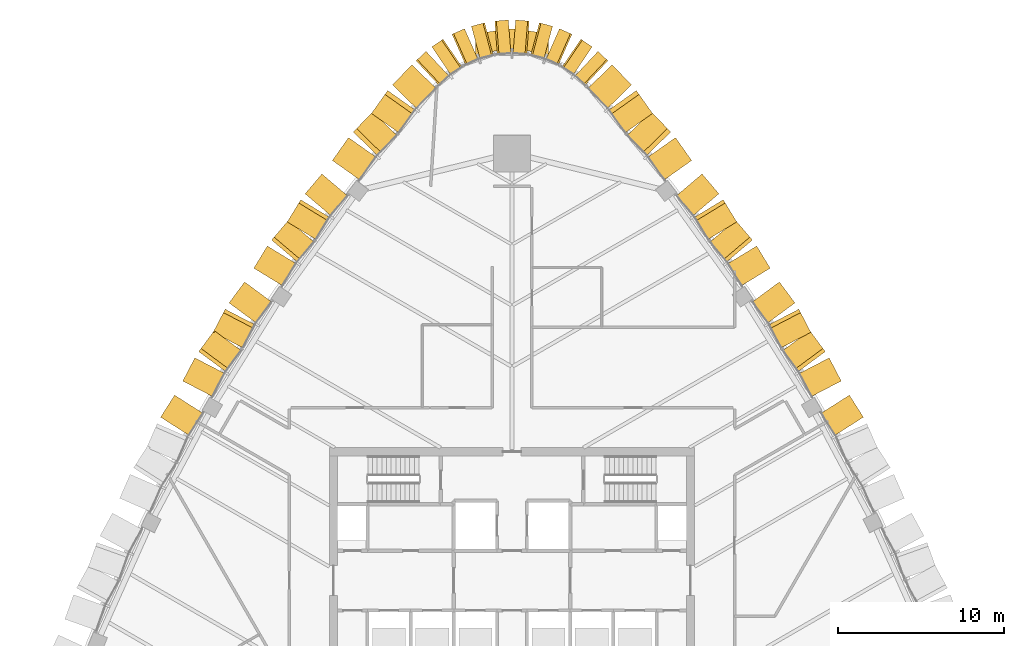
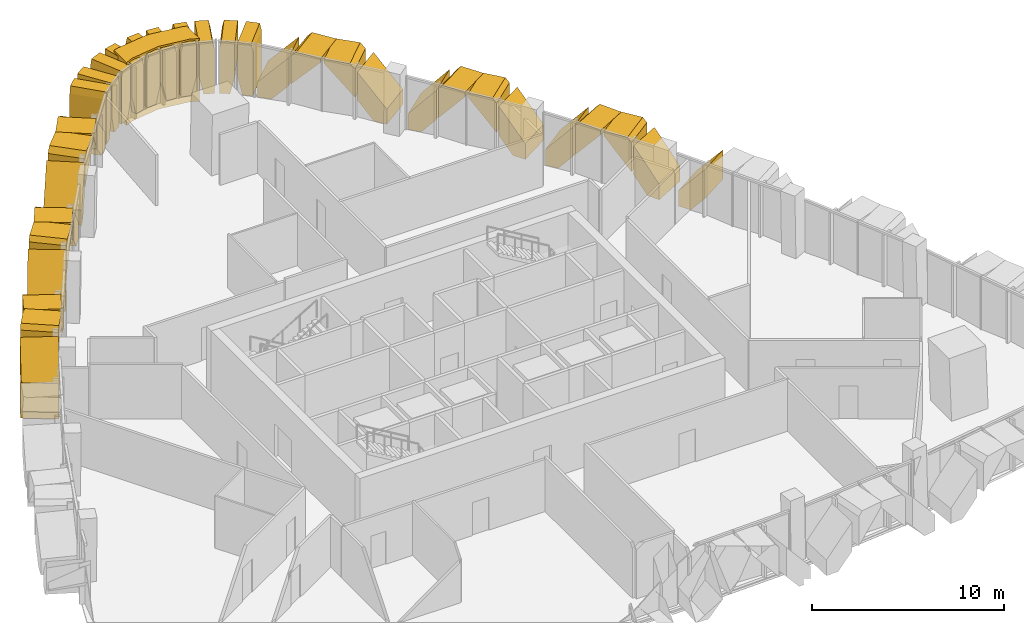
# One storey, part 18 of 19: 37 coverings.
"""IFC4 building model written with IfcOpenShell, lengths in metres."""

from ifc_helpers import new_model, si_unit, direction, frame, origin, place, context, subcontext, project, spatial, polyline, outline, extrude, material, layer, layer_set, type_object, element, save


model = new_model("IFC4")

# Units and contexts
model_context = context("Model", 3, precision=1e-05, world=origin(), true_north=direction((0.0, 1.0)))
body_context = subcontext(model_context, "Body", "Model", "MODEL_VIEW")
ifc_project = project(units=[si_unit("LENGTHUNIT", "METRE"), si_unit("AREAUNIT", "SQUARE_METRE"), si_unit("VOLUMEUNIT", "CUBIC_METRE"), si_unit("PLANEANGLEUNIT", "RADIAN"), si_unit("MASSUNIT", "GRAM", prefix="KILO")], contexts=[model_context])

# Site, building, storey
site_placement = place(None, origin())
site = spatial("IfcSite", under=ifc_project, at=site_placement, CompositionType="ELEMENT")
building_placement = place(site_placement, origin())
building = spatial("IfcBuilding", under=site, at=building_placement, Name="Sierra Prisma Convention Tower", CompositionType="ELEMENT")
storey_placement = place(building_placement, frame((0.0, 0.0, 231.0)))
storey = spatial("IfcBuildingStorey", under=building, at=storey_placement, Name="L51", CompositionType="ELEMENT", Elevation=231.0)

# Coverings
ifc_material_1 = material(Name="Aluminium composite bronze anodised", Category="aluminium")
ifc_layer_1 = layer(ifc_material_1, 1.199951171875)
ifc_layer_set_1 = layer_set([ifc_layer_1], Name="Bronze corner pier")
covering_type_1 = type_object("IfcCoveringType", Name="Bronze corner pier", PredefinedType="CLADDING", material=ifc_layer_set_1)
covering_1_placement = place(storey_placement, frame((0.0, 0.0, -0.60009765625)))
element("IfcCovering", 1, at=covering_1_placement, inside=storey, type_object=covering_type_1, Name="Corner pier N L51.1", PredefinedType="CLADDING", context=body_context, shape_type="SweptSolid", body=[
    extrude(outline(polyline([(-1.91064453125, 32.968505859375), (-0.16796875, 33.215087890625), (0.16796875, 33.215087890625), (1.91064453125, 32.968505859375), (2.199951171875, 32.885009765625), (2.199951171875, 31.575439453125), (1.74267578125, 31.780517578125), (0.0, 32.02685546875), (-1.74267578125, 31.780517578125), (-2.199951171875, 31.575439453125), (-2.199951171875, 32.885009765625), (-1.91064453125, 32.968505859375)])), origin(), (0.0, 0.0, 1.0), 4.0),
])
ifc_material_2 = material(Name="Aluminium 6063-T6 bronze anodised", Category="aluminium")
ifc_layer_2 = layer(ifc_material_2, 2.0)
ifc_layer_set_2 = layer_set([ifc_layer_2], Name="Bronze crystal chevron frame")
covering_type_2 = type_object("IfcCoveringType", Name="Bronze crystal chevron frame", PredefinedType="CLADDING", material=ifc_layer_set_2)
covering_2_placement = place(storey_placement, frame((20.316162109375, 11.162841796875, 0.0), z_axis=(0.842922333408, 0.538035258843, -9.152677e-06), x_axis=(7.714996e-06, 4.924463e-06, 0.999999999958)))
element("IfcCovering", 2, at=covering_2_placement, inside=storey, type_object=covering_type_2, Name="CW-2 chevron frame NE3.2.2", PredefinedType="CLADDING", context=body_context, shape_type="SweptSolid", body=[
    extrude(outline(polyline([(0.0, 0.0), (0.9978027343332063, 0.0), (2.850585937464066, 1.572729120562759), (0.9963378906667324, 1.572729120562759), (-2.389205748810039e-10, 0.7269696146594894), (0.0, 0.0)])), origin(), (0.0, 0.0, -1.0), 2.0),
])
covering_3_placement = place(storey_placement, frame((19.825439453125, 12.012939453125, 0.0), z_axis=(0.88739807128, 0.461003972953, 3.077268e-06), x_axis=(-0.461003972955, 0.887398071285, -3.7e-11)))
element("IfcCovering", 3, at=covering_3_placement, inside=storey, type_object=covering_type_2, Name="CW-2 chevron frame NE4.1.1", PredefinedType="CLADDING", context=body_context, shape_type="SweptSolid", body=[
    extrude(outline(polyline([(0.0, 0.0), (0.7271366106622383, 0.0), (1.5728604914695017, 0.9963378906881374), (1.5728604914006303, 2.850585937554358), (-3.706095560998228e-11, 0.9978027343702756), (0.0, 0.0)])), origin(), (0.0, 0.0, -1.0), 2.0),
])
covering_4_placement = place(storey_placement, frame((18.86572265625, 13.784912109375, 3.003662109375), z_axis=(0.804337197607, 0.594173099813, -1.952998e-06), x_axis=(-1.570869e-06, -1.160419e-06, -0.999999999998)))
element("IfcCovering", 4, at=covering_4_placement, inside=storey, type_object=covering_type_2, Name="CW-2 chevron frame NE4.1.2", PredefinedType="CLADDING", context=body_context, shape_type="SweptSolid", body=[
    extrude(outline(polyline([(0.0, 0.0), (1.854248046871464, -1.9632614851063266e-22), (0.0014648437489430868, 1.572893062523824), (-0.2763671875005271, 1.572893062523824), (-0.2763671875086593, 0.2346253646839634), (0.0, 0.0)])), origin(), (0.0, 0.0, -1.0), 2.0),
])
covering_5_placement = place(storey_placement, frame((17.996826171875, 14.944580078125, 3.280029296875), z_axis=(0.887400013203, 0.461000233555, -3.5074188e-05), x_axis=(-3.1124835e-05, -1.6169209e-05, -0.999999999385)))
element("IfcCovering", 5, at=covering_5_placement, inside=storey, type_object=covering_type_2, Name="CW-2 chevron frame NE4.2.1", PredefinedType="CLADDING", context=body_context, shape_type="SweptSolid", body=[
    extrude(outline(polyline([(0.0, 0.0), (0.2778320310791057, 0.0), (2.1306152334044466, 1.5728604914796274), (0.2763671876699933, 1.5728604914796274), (-2.622881998998362e-09, 1.3384151996573173), (0.0, 0.0)])), origin(), (0.0, 0.0, -1.0), 2.0),
])
covering_6_placement = place(storey_placement, frame((16.1025390625, 17.98193359375, 0.0), z_axis=(0.804336316532, 0.594174292526, 2.882672e-06), x_axis=(-2.318638e-06, -1.712809e-06, 0.999999999996)))
element("IfcCovering", 6, at=covering_6_placement, inside=storey, type_object=covering_type_2, Name="CW-2 chevron frame NE4.2.2", PredefinedType="CLADDING", context=body_context, shape_type="SweptSolid", body=[
    extrude(outline(polyline([(0.0, 0.0), (0.9978027343708542, -2.11292947719014e-22), (2.8505859374964353, 1.5728930625212942), (0.9963378906291397, 1.5728930625212942), (-2.3699959917339902e-11, 0.7272652129382422), (0.0, 0.0)])), origin(), (0.0, 0.0, -1.0), 2.0),
])
covering_7_placement = place(storey_placement, frame((15.548828125, 18.806640625, 0.0), z_axis=(0.853951955088, 0.520351859007, -3.5062872e-05), x_axis=(-0.520351859327, 0.853951955613, -4.844e-09)))
element("IfcCovering", 7, at=covering_7_placement, inside=storey, type_object=covering_type_2, Name="CW-2 chevron frame NE5.1.1", PredefinedType="CLADDING", context=body_context, shape_type="SweptSolid", body=[
    extrude(outline(polyline([(0.0, 0.0), (0.725662692803752, 1.6940658945086007e-21), (1.565254086908854, 0.9936523519433657), (1.5652540779038435, 2.8525390695507036), (-4.84666840044686e-09, 1.0004882806349973), (0.0, 0.0)])), origin(), (0.0, 0.0, -1.0), 2.0),
])
covering_8_placement = place(storey_placement, frame((14.474609375, 20.502685546875, 3.00634765625), z_axis=(0.762028074718, 0.647543984627, 3.6268816e-05), x_axis=(2.7637856e-05, 2.3485654e-05, -0.999999999342)))
element("IfcCovering", 8, at=covering_8_placement, inside=storey, type_object=covering_type_2, Name="CW-2 chevron frame NE5.1.2", PredefinedType="CLADDING", context=body_context, shape_type="SweptSolid", body=[
    extrude(outline(polyline([(0.0, 0.0), (1.8588867175273853, -6.298153183978753e-21), (0.006835937135495691, 1.5653983890281125), (-0.2736816408050042, 1.5653983890281125), (-0.27368164361923436, 0.2313906926588185), (0.0, 0.0)])), origin(), (0.0, 0.0, -1.0), 2.0),
])
covering_9_placement = place(storey_placement, frame((13.53369140625, 21.5947265625, 3.280029296875), z_axis=(0.853968919724, 0.520324015056, -5.9173741e-05), x_axis=(-5.0532536e-05, -3.0789519e-05, -0.999999998249)))
element("IfcCovering", 9, at=covering_9_placement, inside=storey, type_object=covering_type_2, Name="CW-2 chevron frame NE5.2.1", PredefinedType="CLADDING", context=body_context, shape_type="SweptSolid", body=[
    extrude(outline(polyline([(0.0, 0.0), (0.2805175776338794, -9.504305238234288e-22), (2.1325683565996774, 1.565254092026376), (0.2736816411041525, 1.565254092026376), (-7.491191868383526e-09, 1.3341684894344088), (0.0, 0.0)])), origin(), (0.0, 0.0, -1.0), 2.0),
])
covering_10_placement = place(storey_placement, frame((11.44580078125, 24.483642578125, 0.0), z_axis=(0.762017982185, 0.647555862157, 1.4565225e-05), x_axis=(-1.1098964e-05, -9.431797e-06, 0.999999999894)))
element("IfcCovering", 10, at=covering_10_placement, inside=storey, type_object=covering_type_2, Name="CW-2 chevron frame NE5.2.2", PredefinedType="CLADDING", context=body_context, shape_type="SweptSolid", body=[
    extrude(outline(polyline([(0.0, 0.0), (1.0004882811438753, -8.474465375605769e-22), (2.8525390624082223, 1.5653983889926795), (0.9936523438553997, 1.5653983889926795), (-6.066043738357343e-10, 0.7257118565960777), (0.0, 0.0)])), origin(), (0.0, 0.0, -1.0), 2.0),
])
covering_11_placement = place(storey_placement, frame((10.8193359375, 25.29345703125, 0.0), z_axis=(0.81654905338, 0.577276054751, 5.946441e-06), x_axis=(-0.577276054762, 0.816549053394, -1.29e-10)))
element("IfcCovering", 11, at=covering_11_placement, inside=storey, type_object=covering_type_2, Name="CW-2 chevron frame NE6.1.1", PredefinedType="CLADDING", context=body_context, shape_type="SweptSolid", body=[
    extrude(outline(polyline([(0.0, 0.0), (0.7498572927257922, 0.0), (1.6887041844932296, 1.0351562502369405), (1.6887041842619448, 2.821533203330357), (-1.241926244621566e-10, 0.9592285156080408), (0.0, 0.0)])), origin(), (0.0, 0.0, -1.0), 2.0),
])
covering_12_placement = place(storey_placement, frame((9.560791015625, 27.01318359375, 2.96484375), z_axis=(0.716232542359, 0.697861693965, 3.6909425e-05), x_axis=(2.6435731e-05, 2.5757674e-05, -0.999999999319)))
element("IfcCovering", 12, at=covering_12_placement, inside=storey, type_object=covering_type_2, Name="CW-2 chevron frame NE6.1.2", PredefinedType="CLADDING", context=body_context, shape_type="SweptSolid", body=[
    extrude(outline(polyline([(0.0, 0.0), (1.7863769519082042, 0.0), (-0.07592773475266065, 1.688670511798533), (-0.3151855470896895, 1.688670511798533), (-0.3151855498492232, 0.28573141485923187), (0.0, 0.0)])), origin(), (0.0, 0.0, -1.0), 2.0),
])
covering_13_placement = place(storey_placement, frame((8.461669921875, 28.127197265625, 3.280029296875), z_axis=(0.816548179379, 0.57727729093, -1.1418349e-05), x_axis=(-9.323632e-06, -6.591554e-06, -0.999999999935)))
element("IfcCovering", 13, at=covering_13_placement, inside=storey, type_object=covering_type_2, Name="CW-2 chevron frame NE6.2.1", PredefinedType="CLADDING", context=body_context, shape_type="SweptSolid", body=[
    extrude(outline(polyline([(0.0, 0.0), (0.23925781248440295, 0.0), (2.101562499904094, 1.6887041846346365), (0.31518554689554673, 1.6887041846346365), (-2.6409962026456866e-10, 1.4028498125079922), (0.0, 0.0)])), origin(), (0.0, 0.0, -1.0), 2.0),
])
covering_14_placement = place(storey_placement, frame((6.024658203125, 31.056396484375, 0.0), z_axis=(0.716218426478, 0.697876181783, 2.1759421e-05), x_axis=(-1.5584498e-05, -1.5185381e-05, 0.999999999763)))
element("IfcCovering", 14, at=covering_14_placement, inside=storey, type_object=covering_type_2, Name="CW-2 chevron frame NE6.2.2", PredefinedType="CLADDING", context=body_context, shape_type="SweptSolid", body=[
    extrude(outline(polyline([(0.0, 0.0), (0.9592285153979159, 0.0), (2.8215332029471587, 1.688670511688383), (1.035156250245059, 1.688670511688383), (-1.2999683904866172e-09, 0.7499821954886263), (0.0, 0.0)])), origin(), (0.0, 0.0, -1.0), 2.0),
])
covering_15_placement = place(storey_placement, frame((5.7744140625, 31.301513671875, 0.0), z_axis=(0.683671152707, 0.729790212835, -1.4359796e-05), x_axis=(-0.729790212911, 0.683671152777, 7.19e-10)))
element("IfcCovering", 15, at=covering_15_placement, inside=storey, type_object=covering_type_2, Name="CW-2 chevron frame N1.1.1", PredefinedType="CLADDING", context=body_context, shape_type="SweptSolid", body=[
    extrude(outline(polyline([(0.0, 0.0), (0.5566929300447061, 0.0), (0.8206180919529379, 1.116455077464082), (0.8206180935081742, 3.2800292959910133), (0.09879517377573158, 3.280029298109677), (2.057502900036573e-09, 2.862304687204891), (0.0, 0.0)])), origin(), (0.0, 0.0, -1.0), 2.0),
])
covering_16_placement = place(storey_placement, frame((4.829345703125, 32.139404296875, 3.280029296875), z_axis=(0.560949227551, 0.827850206213, -1.3512774e-05), x_axis=(-7.57998e-06, -1.1186553e-05, -0.999999999909)))
element("IfcCovering", 16, at=covering_16_placement, inside=storey, type_object=covering_type_2, Name="CW-2 chevron frame N1.1.2", PredefinedType="CLADDING", context=body_context, shape_type="SweptSolid", body=[
    extrude(outline(polyline([(0.0, 0.0), (2.163574218552471, 0.0), (3.2800292978038765, 0.26388212074107814), (3.28002929678375, 0.8204268964662438), (0.41772460954507146, 0.8204268964662438), (2.2142315766577144e-10, 0.7216316587288255), (0.0, 0.0)])), origin(), (0.0, 0.0, -1.0), 2.0),
])
covering_17_placement = place(storey_placement, frame((3.610107421875, 32.8984375, 0.0), z_axis=(0.403860696445, 0.914820494884, -2.799653e-06), x_axis=(-0.914820494887, 0.403860696447, 6.14e-10)))
element("IfcCovering", 17, at=covering_17_placement, inside=storey, type_object=covering_type_2, Name="CW-2 chevron frame N2.1.1", PredefinedType="CLADDING", context=body_context, shape_type="SweptSolid", body=[
    extrude(outline(polyline([(0.0, 0.0), (0.5564835042156097, -1.0587911840678754e-22), (0.8203606370044972, 1.1164550775781612), (0.8203606383335469, 3.2800292963196824), (0.09880779921348083, 3.2800292972129927), (1.7582688710108839e-09, 2.862304687488783), (0.0, 0.0)])), origin(), (0.0, 0.0, -1.0), 2.0),
])
covering_18_placement = place(storey_placement, frame((2.441162109375, 33.37646484375, 3.280029296875), z_axis=(0.255577378705, 0.966788603225, 1.2945186e-05), x_axis=(3.308497e-06, 1.2515259e-05, -0.999999999916)))
element("IfcCovering", 18, at=covering_18_placement, inside=storey, type_object=covering_type_2, Name="CW-2 chevron frame N2.1.2", PredefinedType="CLADDING", context=body_context, shape_type="SweptSolid", body=[
    extrude(outline(polyline([(0.0, 0.0), (2.1635742185687166, 9.163093235556164e-22), (3.280029298882272, 0.2639377500885036), (3.2800292969178164, 0.8204680518722687), (0.4177246096576455, 0.8204680518722687), (1.4286343499114296e-09, 0.7217525211345581), (0.0, 0.0)])), origin(), (0.0, 0.0, -1.0), 2.0),
])
covering_19_placement = place(storey_placement, frame((1.03955078125, 33.689697265625, 0.0), z_axis=(0.078555019846, 0.996909779632, -1.1410768e-05), x_axis=(-0.996909779697, 0.078555019851, -1.51e-10)))
element("IfcCovering", 19, at=covering_19_placement, inside=storey, type_object=covering_type_2, Name="CW-2 chevron frame N3.1.1", PredefinedType="CLADDING", context=body_context, shape_type="SweptSolid", body=[
    extrude(outline(polyline([(0.0, 0.0), (0.5564063398500236, 0.0), (0.8204068082364123, 1.1164550782454503), (0.8204068079097588, 3.2800292968545954), (0.09869833980099224, 3.2800292973545453), (-4.3214685662583735e-10, 2.8623046873136557), (0.0, 0.0)])), origin(), (0.0, 0.0, -1.0), 2.0),
])
covering_20_placement = place(storey_placement, frame((-0.2216796875, 33.754150390625, 3.280029296875), z_axis=(-0.078555019846, 0.996909779632, -1.1410768e-05), x_axis=(8.96373e-07, -1.1375506e-05, -0.999999999935)))
element("IfcCovering", 20, at=covering_20_placement, inside=storey, type_object=covering_type_2, Name="CW-2 chevron frame N3.1.2", PredefinedType="CLADDING", context=body_context, shape_type="SweptSolid", body=[
    extrude(outline(polyline([(0.0, 0.0), (2.163574218609145, 0.0), (3.280029296814737, 0.2640004685549494), (3.280029296730732, 0.820406808404973), (0.4177246094170756, 0.820406808404973), (-6.08912133957282e-10, 0.7217084681087665), (0.0, 0.0)])), origin(), (0.0, 0.0, -1.0), 2.0),
])
covering_21_placement = place(storey_placement, frame((-1.64794921875, 33.586181640625, 0.0), z_axis=(-0.255577378705, 0.966788603225, 1.2945186e-05), x_axis=(-0.966788603306, -0.255577378727, -3.53e-09)))
element("IfcCovering", 21, at=covering_21_placement, inside=storey, type_object=covering_type_2, Name="CW-2 chevron frame N4.1.1", PredefinedType="CLADDING", context=body_context, shape_type="SweptSolid", body=[
    extrude(outline(polyline([(0.0, 0.0), (0.556530301783765, 4.235164736271502e-22), (0.8204680479313744, 1.11645508124521), (0.8204680402943305, 3.2800292998139264), (0.09871551915977274, 3.2800292958376303), (-1.0103441970945802e-08, 2.8623046872601705), (0.0, 0.0)])), origin(), (0.0, 0.0, -1.0), 2.0),
])
covering_22_placement = place(storey_placement, frame((-2.859619140625, 33.229736328125, 3.280029296875), z_axis=(-0.403860696445, 0.914820494884, -2.799653e-06), x_axis=(1.13067e-06, -2.56118e-06, -0.999999999996)))
element("IfcCovering", 22, at=covering_22_placement, inside=storey, type_object=covering_type_2, Name="CW-2 chevron frame N4.1.2", PredefinedType="CLADDING", context=body_context, shape_type="SweptSolid", body=[
    extrude(outline(polyline([(0.0, 0.0), (2.163574218741521, 0.0), (3.2800292964817777, 0.26387713210306674), (3.280029296823617, 0.8203606363186764), (0.41772460933483396, 0.8203606363186764), (-4.5007212927022823e-10, 0.7215528391200661), (0.0, 0.0)])), origin(), (0.0, 0.0, -1.0), 2.0),
])
covering_23_placement = place(storey_placement, frame((-4.150146484375, 32.599609375, 0.0), z_axis=(-0.560949227551, 0.827850206213, -1.3512774e-05), x_axis=(-0.827850206289, -0.560949227602, -1.833e-09)))
element("IfcCovering", 23, at=covering_23_placement, inside=storey, type_object=covering_type_2, Name="CW-2 chevron frame N5.1.1", PredefinedType="CLADDING", context=body_context, shape_type="SweptSolid", body=[
    extrude(outline(polyline([(0.0, 0.0), (0.5565447757251656, 4.235164736271502e-22), (0.8204268944198215, 1.116455079735092), (0.8204268904540677, 3.280029298287563), (0.09879523172524232, 3.280029296743415), (-5.246501670559032e-09, 2.862304687238679), (0.0, 0.0)])), origin(), (0.0, 0.0, -1.0), 2.0),
])
covering_24_placement = place(storey_placement, frame((-5.175537109375, 31.862548828125, 3.280029296875), z_axis=(-0.683671152707, 0.729790212835, -1.4359796e-05), x_axis=(9.817378e-06, -1.0479639e-05, -0.999999999897)))
element("IfcCovering", 24, at=covering_24_placement, inside=storey, type_object=covering_type_2, Name="CW-2 chevron frame N5.1.2", PredefinedType="CLADDING", context=body_context, shape_type="SweptSolid", body=[
    extrude(outline(polyline([(0.0, 0.0), (2.1635742185269313, 1.832618647111233e-21), (3.28002929618073, 0.26392516110569336), (3.280029296580896, 0.8206180911503995), (0.41772460937600514, 0.8206180911503995), (-1.5997970018127755e-09, 0.7218229197324427), (0.0, 0.0)])), origin(), (0.0, 0.0, -1.0), 2.0),
])
covering_25_placement = place(storey_placement, frame((-6.024658203125, 31.056396484375, 0.0), z_axis=(-0.716218426478, 0.697876181783, 2.1759421e-05), x_axis=(-0.697876181948, -0.716218426647, -1.733e-09)))
element("IfcCovering", 25, at=covering_25_placement, inside=storey, type_object=covering_type_2, Name="CW-2 chevron frame NW1.1.1", PredefinedType="CLADDING", context=body_context, shape_type="SweptSolid", body=[
    extrude(outline(polyline([(0.0, 0.0), (0.7499821954886264, -1.6940658945086007e-21), (1.6886705098941128, 1.035156253172086), (1.688670506797728, 2.8215332058741858), (-1.6626618028680495e-09, 0.9592285153979158), (0.0, 0.0)])), origin(), (0.0, 0.0, -1.0), 2.0),
])
covering_26_placement = place(storey_placement, frame((-7.48681640625, 29.506103515625, 2.96484375), z_axis=(-0.816548179379, 0.57727729093, -1.1418349e-05), x_axis=(9.323632e-06, -6.591554e-06, -0.999999999935)))
element("IfcCovering", 26, at=covering_26_placement, inside=storey, type_object=covering_type_2, Name="CW-2 chevron frame NW1.1.2", PredefinedType="CLADDING", context=body_context, shape_type="SweptSolid", body=[
    extrude(outline(polyline([(0.0, 0.0), (1.7863769530085474, 0.0), (-0.0759277344111438, 1.6887041846346365), (-0.31518554689554673, 1.6887041846346365), (-0.31518554715964636, 0.28585437212664444), (0.0, 0.0)])), origin(), (0.0, 0.0, -1.0), 2.0),
])
covering_27_placement = place(storey_placement, frame((-8.38232421875, 28.22265625, 3.280029296875), z_axis=(-0.716232542359, 0.697861693965, 3.6909425e-05), x_axis=(-2.6435731e-05, 2.5757674e-05, -0.999999999319)))
element("IfcCovering", 27, at=covering_27_placement, inside=storey, type_object=covering_type_2, Name="CW-2 chevron frame NW1.2.1", PredefinedType="CLADDING", context=body_context, shape_type="SweptSolid", body=[
    extrude(outline(polyline([(0.0, 0.0), (0.23925781233702886, 0.0), (2.101562498997894, 1.688670511798533), (0.3151855470896895, 1.688670511798533), (-2.7595336686671377e-09, 1.4029390969393012), (0.0, 0.0)])), origin(), (0.0, 0.0, -1.0), 2.0),
])
covering_28_placement = place(storey_placement, frame((-10.8193359375, 25.29345703125, 0.0), z_axis=(-0.81654905338, 0.577276054751, 5.946441e-06), x_axis=(4.855561e-06, -3.432738e-06, 0.999999999982)))
element("IfcCovering", 28, at=covering_28_placement, inside=storey, type_object=covering_type_2, Name="CW-2 chevron frame NW1.2.2", PredefinedType="CLADDING", context=body_context, shape_type="SweptSolid", body=[
    extrude(outline(polyline([(0.0, 0.0), (0.9592285156080408, 0.0), (2.821533203111718, 1.688704184627253), (1.0351562500183018, 1.688704184627253), (-9.708504661827948e-11, 0.7498572927257923), (0.0, 0.0)])), origin(), (0.0, 0.0, -1.0), 2.0),
])
covering_29_placement = place(storey_placement, frame((-11.447021484375, 24.482177734375, 0.0), z_axis=(-0.762041366274, 0.647528343698, 1.3949516e-05), x_axis=(-0.647528343761, -0.762041366349, -7.67e-10)))
element("IfcCovering", 29, at=covering_29_placement, inside=storey, type_object=covering_type_2, Name="CW-2 chevron frame NW2.1.1", PredefinedType="CLADDING", context=body_context, shape_type="SweptSolid", body=[
    extrude(outline(polyline([(0.0, 0.0), (0.7253677213889017, 0.0), (1.5647101212724013, 0.9934082044221922), (1.5647101198457778, 2.8527832042412853), (-7.678216800832604e-10, 1.0007324217776343), (0.0, 0.0)])), origin(), (0.0, 0.0, -1.0), 2.0),
])
covering_30_placement = place(storey_placement, frame((-12.719970703125, 22.930419921875, 3.006591796875), z_axis=(-0.85398847153, 0.520291927609, 2.3624268e-05), x_axis=(-2.0174853e-05, 1.2291516e-05, -0.999999999721)))
element("IfcCovering", 30, at=covering_30_placement, inside=storey, type_object=covering_type_2, Name="CW-2 chevron frame NW2.1.2", PredefinedType="CLADDING", context=body_context, shape_type="SweptSolid", body=[
    extrude(outline(polyline([(0.0, 0.0), (1.8593749994811357, 0.0), (0.007324218595349033, 1.56491857263722), (-0.2734375000763036, 1.56491857263722), (-0.2734375012707268, 0.23095857266703268), (0.0, 0.0)])), origin(), (0.0, 0.0, -1.0), 2.0),
])
covering_31_placement = place(storey_placement, frame((-13.46142578125, 21.69482421875, 3.280029296875), z_axis=(-0.762038499007, 0.647531717635, 2.6222079e-05), x_axis=(-1.9982234e-05, 1.6979628e-05, -0.999999999656)))
element("IfcCovering", 31, at=covering_31_placement, inside=storey, type_object=covering_type_2, Name="CW-2 chevron frame NW2.2.1", PredefinedType="CLADDING", context=body_context, shape_type="SweptSolid", body=[
    extrude(outline(polyline([(0.0, 0.0), (0.2807617186534745, 0.0), (2.132812499454757, 1.5650542553116988), (0.27343750009400747, 1.5650542553116988), (-1.4715525374576956e-09, 1.3340076974455441), (0.0, 0.0)])), origin(), (0.0, 0.0, -1.0), 2.0),
])
covering_32_placement = place(storey_placement, frame((-15.548828125, 18.806640625, 0.0), z_axis=(-0.853938901141, 0.520373281688, -2.8688958e-05), x_axis=(-2.4498617e-05, 1.4928967e-05, 0.999999999588)))
element("IfcCovering", 32, at=covering_32_placement, inside=storey, type_object=covering_type_2, Name="CW-2 chevron frame NW2.2.2", PredefinedType="CLADDING", context=body_context, shape_type="SweptSolid", body=[
    extrude(outline(polyline([(0.0, 0.0), (1.0007324214631705, 0.0), (2.8527832027686304, 1.5647100837433254), (0.9934082035338154, 1.5647100837433254), (-2.3540294583415666e-09, 0.7256626950905372), (0.0, 0.0)])), origin(), (0.0, 0.0, -1.0), 2.0),
])
covering_33_placement = place(storey_placement, frame((-16.102783203125, 17.981689453125, 0.0), z_axis=(-0.804358625986, 0.594144088265, -5.6396688e-05), x_axis=(-0.59414408921, -0.804358627266, -1.2476e-08)))
element("IfcCovering", 33, at=covering_33_placement, inside=storey, type_object=covering_type_2, Name="CW-2 chevron frame NW3.1.1", PredefinedType="CLADDING", context=body_context, shape_type="SweptSolid", body=[
    extrude(outline(polyline([(0.0, 0.0), (0.7271201574075181, 3.3881317890172014e-21), (1.5728930490904232, 0.996337911832111), (1.5728930259577347, 2.850585955758313), (-1.2448097035494998e-08, 0.9978027327882011), (0.0, 0.0)])), origin(), (0.0, 0.0, -1.0), 2.0),
])
covering_34_placement = place(storey_placement, frame((-17.27197265625, 16.34033203125, 3.003662109375), z_axis=(-0.887396162405, 0.461007647217, 1.2470667e-05), x_axis=(-1.1066422e-05, 5.749073e-06, -0.999999999922)))
element("IfcCovering", 34, at=covering_34_placement, inside=storey, type_object=covering_type_2, Name="CW-2 chevron frame NW3.1.2", PredefinedType="CLADDING", context=body_context, shape_type="SweptSolid", body=[
    extrude(outline(polyline([(0.0, 0.0), (1.854248046730816, 0.0), (0.0014648437069061514, 1.572860491505721), (-0.27636718752149, 1.572860491505721), (-0.2763671878530658, 0.23466194197356544), (0.0, 0.0)])), origin(), (0.0, 0.0, -1.0), 2.0),
])
covering_35_placement = place(storey_placement, frame((-17.93115234375, 15.050048828125, 3.280029296875), z_axis=(-0.804337197607, 0.594173099813, -1.952998e-06), x_axis=(1.570869e-06, -1.160419e-06, -0.999999999998)))
element("IfcCovering", 35, at=covering_35_placement, inside=storey, type_object=covering_type_2, Name="CW-2 chevron frame NW3.2.1", PredefinedType="CLADDING", context=body_context, shape_type="SweptSolid", body=[
    extrude(outline(polyline([(0.0, 0.0), (0.27783203124947015, 2.9416610533917047e-23), (2.1306152343719913, 1.572893062523824), (0.2763671875005271, 1.572893062523824), (-8.132179734738319e-12, 1.3382676978398604), (0.0, 0.0)])), origin(), (0.0, 0.0, -1.0), 2.0),
])
covering_36_placement = place(storey_placement, frame((-19.825439453125, 12.012939453125, 0.0), z_axis=(-0.887388148478, 0.461023072075, -3.0899798e-05), x_axis=(-2.7420114e-05, 1.424552e-05, 0.999999999523)))
element("IfcCovering", 36, at=covering_36_placement, inside=storey, type_object=covering_type_2, Name="CW-2 chevron frame NW3.2.2", PredefinedType="CLADDING", context=body_context, shape_type="SweptSolid", body=[
    extrude(outline(polyline([(0.0, 0.0), (0.9978027338986503, -1.690343581752112e-21), (2.8505859370904347, 1.5728604912081932), (0.9963378911006505, 1.5728604912081932), (-2.7231309616786837e-09, 0.7269199628076322), (0.0, 0.0)])), origin(), (0.0, 0.0, -1.0), 2.0),
])
covering_37_placement = place(storey_placement, frame((-20.316162109375, 11.162841796875, 0.0), z_axis=(-0.842922333408, 0.538035258843, -9.152677e-06), x_axis=(-0.538035258865, -0.842922333443, -3.29e-10)))
element("IfcCovering", 37, at=covering_37_placement, inside=storey, type_object=covering_type_2, Name="CW-2 chevron frame NW4.1.1", PredefinedType="CLADDING", context=body_context, shape_type="SweptSolid", body=[
    extrude(outline(polyline([(0.0, 0.0), (0.7269696146594895, 8.470329472543003e-22), (1.5727291202353098, 0.9963378911836144), (1.572729119625906, 2.8505859379809477), (-3.279306288702101e-10, 0.9978027343332064), (0.0, 0.0)])), origin(), (0.0, 0.0, -1.0), 2.0),
])

save(model, "model.ifc")
